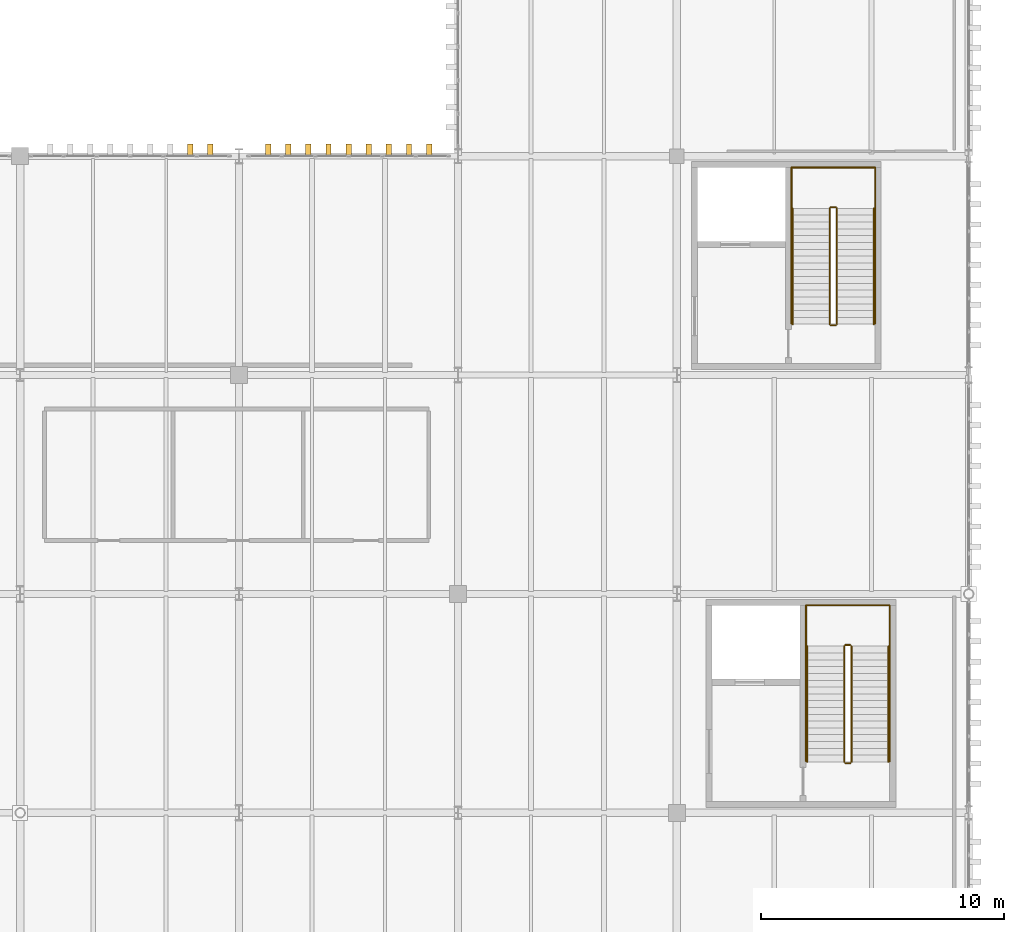
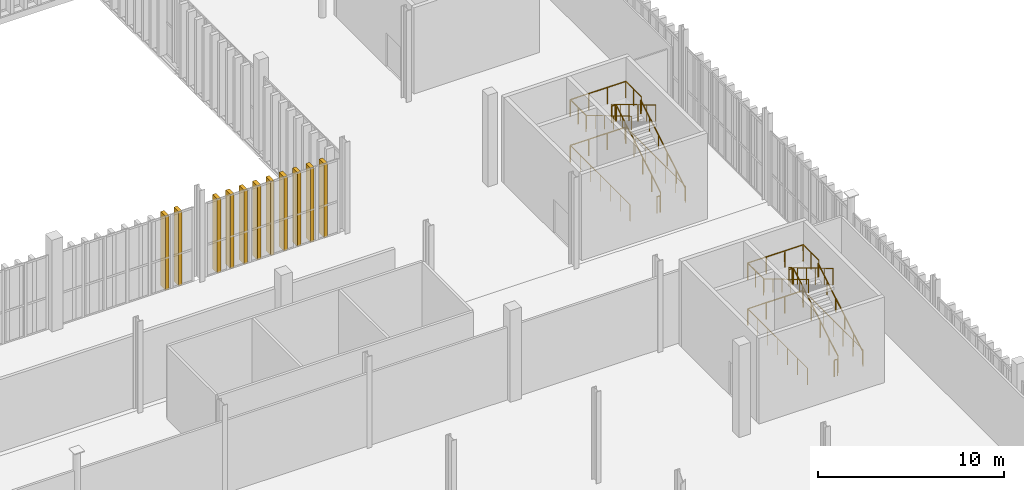
# One storey, part 227 of 237: 24 railings, 11 shading devices.
"""IFC4 building model written with IfcOpenShell, lengths in metres."""

import ifcopenshell
import ifcopenshell.guid

model = None  # the IFC model being written
_history = None  # IfcOwnerHistory: only IFC2X3 demands one
_inside = {}  # id of a spatial element -> (the spatial element, [elements in it])
_under = {}  # id of a project, library or spatial element -> (it, [spatial elements below it])
_declared = {}  # id of a project -> (the project, [libraries it declares])
_typed = {}  # id of a type object -> (the type object, [elements of that type])
_made_of = {}  # id of a material, layer set ... -> (it, [elements and type objects made of it])


def new_model(schema):
    """Start an empty IFC model of exactly this schema.

    Asked for "IFC4X3", IfcOpenShell would pick the latest addendum, in which some entities
    have other attributes; the version numbers below select the first issue.
    IFC2X3 requires an IfcOwnerHistory on every rooted entity: one is made here for all.
    """
    global model, _history
    if schema == "IFC4X3":
        model = ifcopenshell.file(schema_version=(4, 3, 0, 0))
    else:
        model = ifcopenshell.file(schema=schema)
    _inside.clear()
    _under.clear()
    _declared.clear()
    _typed.clear()
    _made_of.clear()
    _history = None
    if model.schema == "IFC2X3":
        org = make("IfcOrganization", Name="unknown")
        user = make(
            "IfcPersonAndOrganization",
            ThePerson=make("IfcPerson", FamilyName="unknown"),
            TheOrganization=org,
        )
        app = make(
            "IfcApplication",
            ApplicationDeveloper=org,
            Version="unknown",
            ApplicationFullName="unknown",
            ApplicationIdentifier="unknown",
        )
        _history = make(
            "IfcOwnerHistory",
            OwningUser=user,
            OwningApplication=app,
            ChangeAction="ADDED",
            CreationDate=0,
        )
    return model


def make(cls, **values):
    """One entity of the class cls with the attributes given. An attribute that is None is left unset."""
    return model.create_entity(
        cls, **{name: value for name, value in values.items() if value is not None}
    )


def rooted(cls, **values):
    """An entity with a GlobalId (a new one), such as an element, a storey or a relation."""
    return make(cls, GlobalId=ifcopenshell.guid.new(), OwnerHistory=_history, **values)


def si_unit(unit_type, name, prefix=None):
    """IfcSIUnit, for example si_unit("LENGTHUNIT", "METRE", prefix="MILLI")."""
    return make("IfcSIUnit", UnitType=unit_type, Prefix=prefix, Name=name)


def assignment(units):
    """IfcUnitAssignment: the units of a project."""
    return None if units is None else make("IfcUnitAssignment", Units=units)


def point(xyz):
    """IfcCartesianPoint."""
    return None if xyz is None else make("IfcCartesianPoint", Coordinates=xyz)


def direction(xyz):
    """IfcDirection."""
    return None if xyz is None else make("IfcDirection", DirectionRatios=xyz)


def frame(location, z_axis=None, x_axis=None):
    """IfcAxis2Placement3D, a coordinate frame: its origin and axes. An axis left out is left unset."""
    return make(
        "IfcAxis2Placement3D",
        Location=point(location),
        Axis=direction(z_axis),
        RefDirection=direction(x_axis),
    )


def frame_2d(location, x_axis=None):
    """IfcAxis2Placement2D, a coordinate frame in the plane: its origin and x axis."""
    return make(
        "IfcAxis2Placement2D", Location=point(location), RefDirection=direction(x_axis)
    )


def origin():
    """The frame at (0, 0, 0) with its axes left unset."""
    return frame((0.0, 0.0, 0.0))


def origin_2d():
    """The frame at (0, 0) in the plane with its x axis left unset."""
    return frame_2d((0.0, 0.0))


def place(relative_to, where):
    """IfcLocalPlacement: puts the frame where relative to a parent placement (None: the world)."""
    return make(
        "IfcLocalPlacement", PlacementRelTo=relative_to, RelativePlacement=where
    )


def context(
    kind, dimensions, precision=None, world=None, true_north=None, identifier=None
):
    """IfcGeometricRepresentationContext, for example the 3D "Model" context."""
    return make(
        "IfcGeometricRepresentationContext",
        ContextIdentifier=identifier,
        ContextType=kind,
        CoordinateSpaceDimension=dimensions,
        Precision=precision,
        WorldCoordinateSystem=world,
        TrueNorth=true_north,
    )


def subcontext(parent, identifier, kind, view, scale=None):
    """IfcGeometricRepresentationSubContext, for example "Body" below "Model"."""
    return make(
        "IfcGeometricRepresentationSubContext",
        ContextIdentifier=identifier,
        ContextType=kind,
        ParentContext=parent,
        TargetScale=scale,
        TargetView=view,
    )


def project(units=None, contexts=None):
    """IfcProject with its units and contexts."""
    return rooted(
        "IfcProject",
        Name="project",
        RepresentationContexts=contexts,
        UnitsInContext=assignment(units),
    )


def spatial(cls, under=None, at=None, **own):
    """A site, building, storey or space (cls), placed at a placement, below another one or the project."""
    s = rooted(cls, ObjectPlacement=at, **own)
    if under is not None:
        _under.setdefault(under.id(), (under, []))[1].append(s)
    return s


def profile(cls, at=None, kind="AREA", **sizes):
    """A parametric profile (cls). Its sizes go by their IFC names, for example OverallWidth=200.0."""
    return make(cls, ProfileType=kind, Position=at, **sizes)


def rectangle(**sizes):
    """IfcRectangleProfileDef."""
    return profile("IfcRectangleProfileDef", **sizes)


def circle(**sizes):
    """IfcCircleProfileDef."""
    return profile("IfcCircleProfileDef", **sizes)


def extrude(swept, where, along, depth):
    """IfcExtrudedAreaSolid: the profile swept, set in the frame where, extruded along a direction by depth."""
    return make(
        "IfcExtrudedAreaSolid",
        SweptArea=swept,
        Position=where,
        ExtrudedDirection=direction(along),
        Depth=depth,
    )


def shape(context_of_items, identifier, shape_type, items):
    """IfcShapeRepresentation: the items that make up one representation, for example the "Body"."""
    return make(
        "IfcShapeRepresentation",
        ContextOfItems=context_of_items,
        RepresentationIdentifier=identifier,
        RepresentationType=shape_type,
        Items=items,
    )


def material(Name=None, Category=None):
    """IfcMaterial."""
    return make("IfcMaterial", Name=Name, Category=Category)


def made_of(thing, what):
    """Note that an element or type object is made of a material, layer set ...; save() writes the relation."""
    if what is not None:
        _made_of.setdefault(what.id(), (what, []))[1].append(thing)
    return thing


def type_object(cls, material=None, **own):
    """A type object (cls), such as IfcWallType, which elements share."""
    return made_of(rooted(cls, **own), material)


def element(
    cls,
    number,
    at=None,
    inside=None,
    cuts=None,
    type_object=None,
    material=None,
    context=None,
    identifier="Body",
    shape_type=None,
    held_by="IfcProductDefinitionShape",
    body=None,
    shapes=None,
    **own,
):
    """One element of the class cls, such as IfcWall. Its Tag is "e" and its number.

    at: its placement. inside: the storey or other place that contains it. cuts: it is an
    opening in that element (IfcRelVoidsElement). A single representation is given by context,
    identifier, shape_type and body (its items); several are given by shapes. held_by: the class
    of the entity that holds the representations. save() writes the other relations.
    """
    e = rooted(cls, Tag="e%d" % number, ObjectPlacement=at, **own)
    if body is not None:
        shapes = [shape(context, identifier, shape_type, body)]
    if shapes is not None:
        e.Representation = make(held_by, Representations=shapes)
    if inside is not None:
        _inside.setdefault(inside.id(), (inside, []))[1].append(e)
    if cuts is not None:
        rooted(
            "IfcRelVoidsElement", RelatingBuildingElement=cuts, RelatedOpeningElement=e
        )
    if type_object is not None:
        _typed.setdefault(type_object.id(), (type_object, []))[1].append(e)
    return made_of(e, material)


def aggregate(whole, parts):
    """IfcRelAggregates: a whole, such as a stair, and the parts it consists of."""
    return rooted("IfcRelAggregates", RelatingObject=whole, RelatedObjects=parts)


def save(model, path):
    """Write the relations noted so far, then the file.

    IfcRelAggregates (storeys below a building ...), IfcRelContainedInSpatialStructure (elements
    in a storey), IfcRelDefinesByType, IfcRelAssociatesMaterial and IfcRelDeclares: one each for
    every whole, place, type object, material and project.
    """
    for whole, parts in _under.values():
        aggregate(whole, parts)
    for where, things in _inside.values():
        rooted(
            "IfcRelContainedInSpatialStructure",
            RelatedElements=things,
            RelatingStructure=where,
        )
    for kind, things in _typed.values():
        rooted("IfcRelDefinesByType", RelatedObjects=things, RelatingType=kind)
    for what, things in _made_of.values():
        rooted("IfcRelAssociatesMaterial", RelatedObjects=things, RelatingMaterial=what)
    for by, libraries in _declared.values():
        rooted("IfcRelDeclares", RelatingContext=by, RelatedDefinitions=libraries)
    model.write(path)


model = new_model("IFC4")

# Units and contexts
model_context = context("Model", 3, precision=1e-05, world=origin(), true_north=direction((0.0, 1.0)))
body_context = subcontext(model_context, "Body", "Model", "MODEL_VIEW")
ifc_project = project(units=[si_unit("LENGTHUNIT", "METRE"), si_unit("AREAUNIT", "SQUARE_METRE"), si_unit("VOLUMEUNIT", "CUBIC_METRE"), si_unit("PLANEANGLEUNIT", "RADIAN"), si_unit("MASSUNIT", "GRAM", prefix="KILO")], contexts=[model_context])

# Site, building, storey
site_placement = place(None, origin())
site = spatial("IfcSite", under=ifc_project, at=site_placement, CompositionType="ELEMENT")
building_placement = place(site_placement, origin())
building = spatial("IfcBuilding", under=site, at=building_placement, Name="Barlavento Convention Centre", CompositionType="ELEMENT")
storey_placement = place(building_placement, frame((0.0, 0.0, 12.0)))
storey = spatial("IfcBuildingStorey", under=building, at=storey_placement, Name="L02", CompositionType="ELEMENT", Elevation=12.0)

# Railings
ifc_material_1 = material(Name="Stainless steel and laminated glass balustrade", Category="steel")
railing_type_1 = type_object("IfcRailingType", Name="ARC-RAL-BAL-1100", PredefinedType="BALUSTRADE", material=ifc_material_1)
railing_1_placement = place(storey_placement, frame((186.580078125, 56.090087890625, 0.166748046875)))
element("IfcRailing", 1, at=railing_1_placement, inside=storey, type_object=railing_type_1, Name="L02 ST05 stair guard 1", PredefinedType="BALUSTRADE", context=body_context, shape_type="SweptSolid", body=[
    extrude(circle(Radius=0.02392578125, at=origin_2d()), frame((0.0, 0.0, 1.076171875), z_axis=(0.0, 0.859299802514, 0.511472237174), x_axis=(-1.0, 0.0, 0.0)), (0.0, 0.0, 1.0), 5.539306640625),
    extrude(circle(Radius=0.02099609375, at=origin_2d()), origin(), (0.0, 0.0, 1.0), 1.052001953125),
    extrude(circle(Radius=0.02099609375, at=origin_2d()), frame((0.0, 0.951904296875, 0.566650390625)), (0.0, 0.0, 1.0), 1.052001953125),
    extrude(circle(Radius=0.02099609375, at=origin_2d()), frame((0.0, 1.904052734375, 1.13330078125)), (0.0, 0.0, 1.0), 1.052001953125),
    extrude(circle(Radius=0.02099609375, at=origin_2d()), frame((0.0, 2.85595703125, 1.699951171875)), (0.0, 0.0, 1.0), 1.052001953125),
    extrude(circle(Radius=0.02099609375, at=origin_2d()), frame((0.0, 3.80810546875, 2.2666015625)), (0.0, 0.0, 1.0), 1.052001953125),
    extrude(circle(Radius=0.02099609375, at=origin_2d()), frame((0.0, 4.760009765625, 2.833251953125)), (0.0, 0.0, 1.0), 1.052001953125),
])
railing_2_placement = place(storey_placement, frame((186.530029296875, 60.89990234375, 3.0)))
element("IfcRailing", 2, at=railing_2_placement, inside=storey, type_object=railing_type_1, Name="L02 ST05 stair guard 2", PredefinedType="BALUSTRADE", context=body_context, shape_type="SweptSolid", body=[
    extrude(circle(Radius=0.02392578125, at=origin_2d()), frame((0.0, 0.0, 1.076171875), z_axis=(-1.0, 0.0, 0.0), x_axis=(0.0, -1.0, 0.0)), (0.0, 0.0, 1.0), 0.199951171875),
    extrude(circle(Radius=0.02099609375, at=origin_2d()), origin(), (0.0, 0.0, 1.0), 1.052001953125),
    extrude(circle(Radius=0.02099609375, at=origin_2d()), frame((-0.199951171875, 0.0, 0.0)), (0.0, 0.0, 1.0), 1.052001953125),
])
railing_3_placement = place(storey_placement, frame((186.280029296875, 60.85009765625, 3.166748046875)))
element("IfcRailing", 3, at=railing_3_placement, inside=storey, type_object=railing_type_1, Name="L02 ST05 stair guard 3", PredefinedType="BALUSTRADE", context=body_context, shape_type="SweptSolid", body=[
    extrude(circle(Radius=0.02392578125, at=origin_2d()), frame((0.0, 0.0, 1.076171875), z_axis=(0.0, -0.859299802514, 0.511472237174), x_axis=(1.0, 0.0, 0.0)), (0.0, 0.0, 1.0), 5.539306640625),
    extrude(circle(Radius=0.02099609375, at=origin_2d()), origin(), (0.0, 0.0, 1.0), 1.052001953125),
    extrude(circle(Radius=0.02099609375, at=origin_2d()), frame((0.0, -0.951904296875, 0.566650390625)), (0.0, 0.0, 1.0), 1.052001953125),
    extrude(circle(Radius=0.02099609375, at=origin_2d()), frame((0.0, -1.904052734375, 1.13330078125)), (0.0, 0.0, 1.0), 1.052001953125),
    extrude(circle(Radius=0.02099609375, at=origin_2d()), frame((0.0, -2.85595703125, 1.699951171875)), (0.0, 0.0, 1.0), 1.052001953125),
    extrude(circle(Radius=0.02099609375, at=origin_2d()), frame((0.0, -3.80810546875, 2.2666015625)), (0.0, 0.0, 1.0), 1.052001953125),
    extrude(circle(Radius=0.02099609375, at=origin_2d()), frame((0.0, -4.760009765625, 2.833251953125)), (0.0, 0.0, 1.0), 1.052001953125),
])
railing_4_placement = place(storey_placement, frame((186.530029296875, 56.0400390625, 0.0)))
element("IfcRailing", 4, at=railing_4_placement, inside=storey, type_object=railing_type_1, Name="L02 ST05 stair guard 4", PredefinedType="BALUSTRADE", context=body_context, shape_type="SweptSolid", body=[
    extrude(circle(Radius=0.02392578125, at=origin_2d()), frame((0.0, 0.0, 1.076171875), z_axis=(-1.0, 0.0, 0.0), x_axis=(0.0, -1.0, 0.0)), (0.0, 0.0, 1.0), 0.199951171875),
    extrude(circle(Radius=0.02099609375, at=origin_2d()), origin(), (0.0, 0.0, 1.0), 1.052001953125),
    extrude(circle(Radius=0.02099609375, at=origin_2d()), frame((-0.199951171875, 0.0, 0.0)), (0.0, 0.0, 1.0), 1.052001953125),
])
for number, where, name in (
    (5, (188.14990234375, 60.85009765625, 3.0), "L02 landing guard GR01"),
    (6, (184.7099609375, 60.85009765625, 3.0), "L02 landing guard GR01"),
):
    element("IfcRailing", number, at=place(storey_placement, frame(where)), inside=storey, type_object=railing_type_1, Name=name, PredefinedType="BALUSTRADE", context=body_context, shape_type="SweptSolid", body=[
        extrude(circle(Radius=0.02392578125, at=origin_2d()), frame((0.0, 0.0, 1.076171875), z_axis=(0.0, 1.0, 0.0), x_axis=(-1.0, 0.0, 0.0)), (0.0, 0.0, 1.0), 1.679931640625),
        extrude(circle(Radius=0.02099609375, at=origin_2d()), origin(), (0.0, 0.0, 1.0), 1.052001953125),
        extrude(circle(Radius=0.02099609375, at=origin_2d()), frame((0.0, 0.83984375, 0.0)), (0.0, 0.0, 1.0), 1.052001953125),
        extrude(circle(Radius=0.02099609375, at=origin_2d()), frame((0.0, 1.679931640625, 0.0)), (0.0, 0.0, 1.0), 1.052001953125),
    ])
railing_5_placement = place(storey_placement, frame((188.14990234375, 62.530029296875, 3.0)))
element("IfcRailing", 7, at=railing_5_placement, inside=storey, type_object=railing_type_1, Name="L02 landing guard GR01", PredefinedType="BALUSTRADE", context=body_context, shape_type="SweptSolid", body=[
    extrude(circle(Radius=0.02392578125, at=origin_2d()), frame((0.0, 0.0, 1.076171875), z_axis=(-1.0, 0.0, 0.0), x_axis=(0.0, -1.0, 0.0)), (0.0, 0.0, 1.0), 3.43994140625),
    extrude(circle(Radius=0.02099609375, at=origin_2d()), origin(), (0.0, 0.0, 1.0), 1.052001953125),
    extrude(circle(Radius=0.02099609375, at=origin_2d()), frame((-1.146728515625, 0.0, 0.0)), (0.0, 0.0, 1.0), 1.052001953125),
    extrude(circle(Radius=0.02099609375, at=origin_2d()), frame((-2.293212890625, 0.0, 0.0)), (0.0, 0.0, 1.0), 1.052001953125),
    extrude(circle(Radius=0.02099609375, at=origin_2d()), frame((-3.43994140625, 0.0, 0.0)), (0.0, 0.0, 1.0), 1.052001953125),
])
railing_6_placement = place(storey_placement, frame((188.14990234375, 56.114990234375, 0.0)))
element("IfcRailing", 8, at=railing_6_placement, inside=storey, type_object=railing_type_1, Name="L02 stairwell perimeter guard GR01", PredefinedType="BALUSTRADE", context=body_context, shape_type="SweptSolid", body=[
    extrude(circle(Radius=0.02392578125, at=origin_2d()), frame((0.0, 0.0, 1.076171875), z_axis=(0.0, 1.0, 0.0), x_axis=(-1.0, 0.0, 0.0)), (0.0, 0.0, 1.0), 6.4150390625),
    extrude(circle(Radius=0.02099609375, at=origin_2d()), origin(), (0.0, 0.0, 1.0), 1.052001953125),
    extrude(circle(Radius=0.02099609375, at=origin_2d()), frame((0.0, 1.069091796875, 0.0)), (0.0, 0.0, 1.0), 1.052001953125),
    extrude(circle(Radius=0.02099609375, at=origin_2d()), frame((0.0, 2.138427734375, 0.0)), (0.0, 0.0, 1.0), 1.052001953125),
    extrude(circle(Radius=0.02099609375, at=origin_2d()), frame((0.0, 3.20751953125, 0.0)), (0.0, 0.0, 1.0), 1.052001953125),
    extrude(circle(Radius=0.02099609375, at=origin_2d()), frame((0.0, 4.276611328125, 0.0)), (0.0, 0.0, 1.0), 1.052001953125),
    extrude(circle(Radius=0.02099609375, at=origin_2d()), frame((0.0, 5.345947265625, 0.0)), (0.0, 0.0, 1.0), 1.052001953125),
    extrude(circle(Radius=0.02099609375, at=origin_2d()), frame((0.0, 6.4150390625, 0.0)), (0.0, 0.0, 1.0), 1.052001953125),
])
railing_7_placement = place(storey_placement, frame((188.14990234375, 62.530029296875, 0.0)))
element("IfcRailing", 9, at=railing_7_placement, inside=storey, type_object=railing_type_1, Name="L02 stairwell perimeter guard GR01", PredefinedType="BALUSTRADE", context=body_context, shape_type="SweptSolid", body=[
    extrude(circle(Radius=0.02392578125, at=origin_2d()), frame((0.0, 0.0, 1.076171875), z_axis=(-1.0, 0.0, 0.0), x_axis=(0.0, -1.0, 0.0)), (0.0, 0.0, 1.0), 3.43994140625),
    extrude(circle(Radius=0.02099609375, at=origin_2d()), origin(), (0.0, 0.0, 1.0), 1.052001953125),
    extrude(circle(Radius=0.02099609375, at=origin_2d()), frame((-1.146728515625, 0.0, 0.0)), (0.0, 0.0, 1.0), 1.052001953125),
    extrude(circle(Radius=0.02099609375, at=origin_2d()), frame((-2.293212890625, 0.0, 0.0)), (0.0, 0.0, 1.0), 1.052001953125),
    extrude(circle(Radius=0.02099609375, at=origin_2d()), frame((-3.43994140625, 0.0, 0.0)), (0.0, 0.0, 1.0), 1.052001953125),
])
railing_8_placement = place(storey_placement, frame((184.7099609375, 62.530029296875, 0.0)))
element("IfcRailing", 10, at=railing_8_placement, inside=storey, type_object=railing_type_1, Name="L02 stairwell perimeter guard GR01", PredefinedType="BALUSTRADE", context=body_context, shape_type="SweptSolid", body=[
    extrude(circle(Radius=0.02392578125, at=origin_2d()), frame((0.0, 0.0, 1.076171875), z_axis=(0.0, -1.0, 0.0), x_axis=(1.0, 0.0, 0.0)), (0.0, 0.0, 1.0), 6.4150390625),
    extrude(circle(Radius=0.02099609375, at=origin_2d()), origin(), (0.0, 0.0, 1.0), 1.052001953125),
    extrude(circle(Radius=0.02099609375, at=origin_2d()), frame((0.0, -1.069091796875, 0.0)), (0.0, 0.0, 1.0), 1.052001953125),
    extrude(circle(Radius=0.02099609375, at=origin_2d()), frame((0.0, -2.138427734375, 0.0)), (0.0, 0.0, 1.0), 1.052001953125),
    extrude(circle(Radius=0.02099609375, at=origin_2d()), frame((0.0, -3.20751953125, 0.0)), (0.0, 0.0, 1.0), 1.052001953125),
    extrude(circle(Radius=0.02099609375, at=origin_2d()), frame((0.0, -4.276611328125, 0.0)), (0.0, 0.0, 1.0), 1.052001953125),
    extrude(circle(Radius=0.02099609375, at=origin_2d()), frame((0.0, -5.345947265625, 0.0)), (0.0, 0.0, 1.0), 1.052001953125),
    extrude(circle(Radius=0.02099609375, at=origin_2d()), frame((0.0, -6.4150390625, 0.0)), (0.0, 0.0, 1.0), 1.052001953125),
])
railing_9_placement = place(storey_placement, frame((187.179931640625, 38.090087890625, 0.166748046875)))
element("IfcRailing", 11, at=railing_9_placement, inside=storey, type_object=railing_type_1, Name="L02 ST06 stair guard 1", PredefinedType="BALUSTRADE", context=body_context, shape_type="SweptSolid", body=[
    extrude(circle(Radius=0.02392578125, at=origin_2d()), frame((0.0, 0.0, 1.076171875), z_axis=(0.0, 0.859299802514, 0.511472237174), x_axis=(-1.0, 0.0, 0.0)), (0.0, 0.0, 1.0), 5.539306640625),
    extrude(circle(Radius=0.02099609375, at=origin_2d()), origin(), (0.0, 0.0, 1.0), 1.052001953125),
    extrude(circle(Radius=0.02099609375, at=origin_2d()), frame((0.0, 0.951904296875, 0.566650390625)), (0.0, 0.0, 1.0), 1.052001953125),
    extrude(circle(Radius=0.02099609375, at=origin_2d()), frame((0.0, 1.904052734375, 1.13330078125)), (0.0, 0.0, 1.0), 1.052001953125),
    extrude(circle(Radius=0.02099609375, at=origin_2d()), frame((0.0, 2.85595703125, 1.699951171875)), (0.0, 0.0, 1.0), 1.052001953125),
    extrude(circle(Radius=0.02099609375, at=origin_2d()), frame((0.0, 3.80810546875, 2.2666015625)), (0.0, 0.0, 1.0), 1.052001953125),
    extrude(circle(Radius=0.02099609375, at=origin_2d()), frame((0.0, 4.760009765625, 2.833251953125)), (0.0, 0.0, 1.0), 1.052001953125),
])
railing_10_placement = place(storey_placement, frame((187.1298828125, 42.89990234375, 3.0)))
element("IfcRailing", 12, at=railing_10_placement, inside=storey, type_object=railing_type_1, Name="L02 ST06 stair guard 2", PredefinedType="BALUSTRADE", context=body_context, shape_type="SweptSolid", body=[
    extrude(circle(Radius=0.02392578125, at=origin_2d()), frame((0.0, 0.0, 1.076171875), z_axis=(-1.0, 0.0, 0.0), x_axis=(0.0, -1.0, 0.0)), (0.0, 0.0, 1.0), 0.199951171875),
    extrude(circle(Radius=0.02099609375, at=origin_2d()), origin(), (0.0, 0.0, 1.0), 1.052001953125),
    extrude(circle(Radius=0.02099609375, at=origin_2d()), frame((-0.199951171875, 0.0, 0.0)), (0.0, 0.0, 1.0), 1.052001953125),
])
railing_11_placement = place(storey_placement, frame((186.8798828125, 42.85009765625, 3.166748046875)))
element("IfcRailing", 13, at=railing_11_placement, inside=storey, type_object=railing_type_1, Name="L02 ST06 stair guard 3", PredefinedType="BALUSTRADE", context=body_context, shape_type="SweptSolid", body=[
    extrude(circle(Radius=0.02392578125, at=origin_2d()), frame((0.0, 0.0, 1.076171875), z_axis=(0.0, -0.859299802514, 0.511472237174), x_axis=(1.0, 0.0, 0.0)), (0.0, 0.0, 1.0), 5.539306640625),
    extrude(circle(Radius=0.02099609375, at=origin_2d()), origin(), (0.0, 0.0, 1.0), 1.052001953125),
    extrude(circle(Radius=0.02099609375, at=origin_2d()), frame((0.0, -0.951904296875, 0.566650390625)), (0.0, 0.0, 1.0), 1.052001953125),
    extrude(circle(Radius=0.02099609375, at=origin_2d()), frame((0.0, -1.904052734375, 1.13330078125)), (0.0, 0.0, 1.0), 1.052001953125),
    extrude(circle(Radius=0.02099609375, at=origin_2d()), frame((0.0, -2.85595703125, 1.699951171875)), (0.0, 0.0, 1.0), 1.052001953125),
    extrude(circle(Radius=0.02099609375, at=origin_2d()), frame((0.0, -3.80810546875, 2.2666015625)), (0.0, 0.0, 1.0), 1.052001953125),
    extrude(circle(Radius=0.02099609375, at=origin_2d()), frame((0.0, -4.760009765625, 2.833251953125)), (0.0, 0.0, 1.0), 1.052001953125),
])
railing_12_placement = place(storey_placement, frame((187.1298828125, 38.0400390625, 0.0)))
element("IfcRailing", 14, at=railing_12_placement, inside=storey, type_object=railing_type_1, Name="L02 ST06 stair guard 4", PredefinedType="BALUSTRADE", context=body_context, shape_type="SweptSolid", body=[
    extrude(circle(Radius=0.02392578125, at=origin_2d()), frame((0.0, 0.0, 1.076171875), z_axis=(-1.0, 0.0, 0.0), x_axis=(0.0, -1.0, 0.0)), (0.0, 0.0, 1.0), 0.199951171875),
    extrude(circle(Radius=0.02099609375, at=origin_2d()), origin(), (0.0, 0.0, 1.0), 1.052001953125),
    extrude(circle(Radius=0.02099609375, at=origin_2d()), frame((-0.199951171875, 0.0, 0.0)), (0.0, 0.0, 1.0), 1.052001953125),
])
for number, where, name in (
    (15, (188.75, 42.85009765625, 3.0), "L02 landing guard GR01"),
    (16, (185.31005859375, 42.85009765625, 3.0), "L02 landing guard GR01"),
):
    element("IfcRailing", number, at=place(storey_placement, frame(where)), inside=storey, type_object=railing_type_1, Name=name, PredefinedType="BALUSTRADE", context=body_context, shape_type="SweptSolid", body=[
        extrude(circle(Radius=0.02392578125, at=origin_2d()), frame((0.0, 0.0, 1.076171875), z_axis=(0.0, 1.0, 0.0), x_axis=(-1.0, 0.0, 0.0)), (0.0, 0.0, 1.0), 1.679931640625),
        extrude(circle(Radius=0.02099609375, at=origin_2d()), origin(), (0.0, 0.0, 1.0), 1.052001953125),
        extrude(circle(Radius=0.02099609375, at=origin_2d()), frame((0.0, 0.83984375, 0.0)), (0.0, 0.0, 1.0), 1.052001953125),
        extrude(circle(Radius=0.02099609375, at=origin_2d()), frame((0.0, 1.679931640625, 0.0)), (0.0, 0.0, 1.0), 1.052001953125),
    ])
railing_13_placement = place(storey_placement, frame((188.75, 44.530029296875, 3.0)))
element("IfcRailing", 17, at=railing_13_placement, inside=storey, type_object=railing_type_1, Name="L02 landing guard GR01", PredefinedType="BALUSTRADE", context=body_context, shape_type="SweptSolid", body=[
    extrude(circle(Radius=0.02392578125, at=origin_2d()), frame((0.0, 0.0, 1.076171875), z_axis=(-1.0, 0.0, 0.0), x_axis=(0.0, -1.0, 0.0)), (0.0, 0.0, 1.0), 3.43994140625),
    extrude(circle(Radius=0.02099609375, at=origin_2d()), origin(), (0.0, 0.0, 1.0), 1.052001953125),
    extrude(circle(Radius=0.02099609375, at=origin_2d()), frame((-1.146728515625, 0.0, 0.0)), (0.0, 0.0, 1.0), 1.052001953125),
    extrude(circle(Radius=0.02099609375, at=origin_2d()), frame((-2.293212890625, 0.0, 0.0)), (0.0, 0.0, 1.0), 1.052001953125),
    extrude(circle(Radius=0.02099609375, at=origin_2d()), frame((-3.43994140625, 0.0, 0.0)), (0.0, 0.0, 1.0), 1.052001953125),
])
railing_14_placement = place(storey_placement, frame((188.75, 38.114990234375, 0.0)))
element("IfcRailing", 18, at=railing_14_placement, inside=storey, type_object=railing_type_1, Name="L02 stairwell perimeter guard GR01", PredefinedType="BALUSTRADE", context=body_context, shape_type="SweptSolid", body=[
    extrude(circle(Radius=0.02392578125, at=origin_2d()), frame((0.0, 0.0, 1.076171875), z_axis=(0.0, 1.0, 0.0), x_axis=(-1.0, 0.0, 0.0)), (0.0, 0.0, 1.0), 6.4150390625),
    extrude(circle(Radius=0.02099609375, at=origin_2d()), origin(), (0.0, 0.0, 1.0), 1.052001953125),
    extrude(circle(Radius=0.02099609375, at=origin_2d()), frame((0.0, 1.069091796875, 0.0)), (0.0, 0.0, 1.0), 1.052001953125),
    extrude(circle(Radius=0.02099609375, at=origin_2d()), frame((0.0, 2.138427734375, 0.0)), (0.0, 0.0, 1.0), 1.052001953125),
    extrude(circle(Radius=0.02099609375, at=origin_2d()), frame((0.0, 3.20751953125, 0.0)), (0.0, 0.0, 1.0), 1.052001953125),
    extrude(circle(Radius=0.02099609375, at=origin_2d()), frame((0.0, 4.276611328125, 0.0)), (0.0, 0.0, 1.0), 1.052001953125),
    extrude(circle(Radius=0.02099609375, at=origin_2d()), frame((0.0, 5.345947265625, 0.0)), (0.0, 0.0, 1.0), 1.052001953125),
    extrude(circle(Radius=0.02099609375, at=origin_2d()), frame((0.0, 6.4150390625, 0.0)), (0.0, 0.0, 1.0), 1.052001953125),
])
railing_15_placement = place(storey_placement, frame((188.75, 44.530029296875, 0.0)))
element("IfcRailing", 19, at=railing_15_placement, inside=storey, type_object=railing_type_1, Name="L02 stairwell perimeter guard GR01", PredefinedType="BALUSTRADE", context=body_context, shape_type="SweptSolid", body=[
    extrude(circle(Radius=0.02392578125, at=origin_2d()), frame((0.0, 0.0, 1.076171875), z_axis=(-1.0, 0.0, 0.0), x_axis=(0.0, -1.0, 0.0)), (0.0, 0.0, 1.0), 3.43994140625),
    extrude(circle(Radius=0.02099609375, at=origin_2d()), origin(), (0.0, 0.0, 1.0), 1.052001953125),
    extrude(circle(Radius=0.02099609375, at=origin_2d()), frame((-1.146728515625, 0.0, 0.0)), (0.0, 0.0, 1.0), 1.052001953125),
    extrude(circle(Radius=0.02099609375, at=origin_2d()), frame((-2.293212890625, 0.0, 0.0)), (0.0, 0.0, 1.0), 1.052001953125),
    extrude(circle(Radius=0.02099609375, at=origin_2d()), frame((-3.43994140625, 0.0, 0.0)), (0.0, 0.0, 1.0), 1.052001953125),
])
railing_16_placement = place(storey_placement, frame((185.31005859375, 44.530029296875, 0.0)))
element("IfcRailing", 20, at=railing_16_placement, inside=storey, type_object=railing_type_1, Name="L02 stairwell perimeter guard GR01", PredefinedType="BALUSTRADE", context=body_context, shape_type="SweptSolid", body=[
    extrude(circle(Radius=0.02392578125, at=origin_2d()), frame((0.0, 0.0, 1.076171875), z_axis=(0.0, -1.0, 0.0), x_axis=(1.0, 0.0, 0.0)), (0.0, 0.0, 1.0), 6.4150390625),
    extrude(circle(Radius=0.02099609375, at=origin_2d()), origin(), (0.0, 0.0, 1.0), 1.052001953125),
    extrude(circle(Radius=0.02099609375, at=origin_2d()), frame((0.0, -1.069091796875, 0.0)), (0.0, 0.0, 1.0), 1.052001953125),
    extrude(circle(Radius=0.02099609375, at=origin_2d()), frame((0.0, -2.138427734375, 0.0)), (0.0, 0.0, 1.0), 1.052001953125),
    extrude(circle(Radius=0.02099609375, at=origin_2d()), frame((0.0, -3.20751953125, 0.0)), (0.0, 0.0, 1.0), 1.052001953125),
    extrude(circle(Radius=0.02099609375, at=origin_2d()), frame((0.0, -4.276611328125, 0.0)), (0.0, 0.0, 1.0), 1.052001953125),
    extrude(circle(Radius=0.02099609375, at=origin_2d()), frame((0.0, -5.345947265625, 0.0)), (0.0, 0.0, 1.0), 1.052001953125),
    extrude(circle(Radius=0.02099609375, at=origin_2d()), frame((0.0, -6.4150390625, 0.0)), (0.0, 0.0, 1.0), 1.052001953125),
])
ifc_material_2 = material(Name="Brushed stainless steel tubular handrail", Category="steel")
railing_type_2 = type_object("IfcRailingType", Name="ARC-RAL-HR-900", PredefinedType="HANDRAIL", material=ifc_material_2)
railing_17_placement = place(storey_placement, frame((188.10009765625, 56.090087890625, 0.166748046875)))
element("IfcRailing", 21, at=railing_17_placement, inside=storey, type_object=railing_type_2, Name="L02 ST05 stair handrail 1", PredefinedType="HANDRAIL", context=body_context, shape_type="SweptSolid", body=[
    extrude(circle(Radius=0.02392578125, at=origin_2d()), frame((0.0, 0.0, 0.8759765625), z_axis=(0.0, 0.859299802514, 0.511472237174), x_axis=(-1.0, 0.0, 0.0)), (0.0, 0.0, 1.0), 5.539306640625),
    extrude(circle(Radius=0.02099609375, at=origin_2d()), origin(), (0.0, 0.0, 1.0), 0.851806640625),
    extrude(circle(Radius=0.02099609375, at=origin_2d()), frame((0.0, 0.951904296875, 0.566650390625)), (0.0, 0.0, 1.0), 0.851806640625),
    extrude(circle(Radius=0.02099609375, at=origin_2d()), frame((0.0, 1.904052734375, 1.13330078125)), (0.0, 0.0, 1.0), 0.851806640625),
    extrude(circle(Radius=0.02099609375, at=origin_2d()), frame((0.0, 2.85595703125, 1.699951171875)), (0.0, 0.0, 1.0), 0.851806640625),
    extrude(circle(Radius=0.02099609375, at=origin_2d()), frame((0.0, 3.80810546875, 2.2666015625)), (0.0, 0.0, 1.0), 0.851806640625),
    extrude(circle(Radius=0.02099609375, at=origin_2d()), frame((0.0, 4.760009765625, 2.833251953125)), (0.0, 0.0, 1.0), 0.851806640625),
])
railing_18_placement = place(storey_placement, frame((184.760009765625, 60.85009765625, 3.166748046875)))
element("IfcRailing", 22, at=railing_18_placement, inside=storey, type_object=railing_type_2, Name="L02 ST05 stair handrail 2", PredefinedType="HANDRAIL", context=body_context, shape_type="SweptSolid", body=[
    extrude(circle(Radius=0.02392578125, at=origin_2d()), frame((0.0, 0.0, 0.8759765625), z_axis=(0.0, -0.859299802514, 0.511472237174), x_axis=(1.0, 0.0, 0.0)), (0.0, 0.0, 1.0), 5.539306640625),
    extrude(circle(Radius=0.02099609375, at=origin_2d()), origin(), (0.0, 0.0, 1.0), 0.851806640625),
    extrude(circle(Radius=0.02099609375, at=origin_2d()), frame((0.0, -0.951904296875, 0.566650390625)), (0.0, 0.0, 1.0), 0.851806640625),
    extrude(circle(Radius=0.02099609375, at=origin_2d()), frame((0.0, -1.904052734375, 1.13330078125)), (0.0, 0.0, 1.0), 0.851806640625),
    extrude(circle(Radius=0.02099609375, at=origin_2d()), frame((0.0, -2.85595703125, 1.699951171875)), (0.0, 0.0, 1.0), 0.851806640625),
    extrude(circle(Radius=0.02099609375, at=origin_2d()), frame((0.0, -3.80810546875, 2.2666015625)), (0.0, 0.0, 1.0), 0.851806640625),
    extrude(circle(Radius=0.02099609375, at=origin_2d()), frame((0.0, -4.760009765625, 2.833251953125)), (0.0, 0.0, 1.0), 0.851806640625),
])
railing_19_placement = place(storey_placement, frame((188.699951171875, 38.090087890625, 0.166748046875)))
element("IfcRailing", 23, at=railing_19_placement, inside=storey, type_object=railing_type_2, Name="L02 ST06 stair handrail 1", PredefinedType="HANDRAIL", context=body_context, shape_type="SweptSolid", body=[
    extrude(circle(Radius=0.02392578125, at=origin_2d()), frame((0.0, 0.0, 0.8759765625), z_axis=(0.0, 0.859299802514, 0.511472237174), x_axis=(-1.0, 0.0, 0.0)), (0.0, 0.0, 1.0), 5.539306640625),
    extrude(circle(Radius=0.02099609375, at=origin_2d()), origin(), (0.0, 0.0, 1.0), 0.851806640625),
    extrude(circle(Radius=0.02099609375, at=origin_2d()), frame((0.0, 0.951904296875, 0.566650390625)), (0.0, 0.0, 1.0), 0.851806640625),
    extrude(circle(Radius=0.02099609375, at=origin_2d()), frame((0.0, 1.904052734375, 1.13330078125)), (0.0, 0.0, 1.0), 0.851806640625),
    extrude(circle(Radius=0.02099609375, at=origin_2d()), frame((0.0, 2.85595703125, 1.699951171875)), (0.0, 0.0, 1.0), 0.851806640625),
    extrude(circle(Radius=0.02099609375, at=origin_2d()), frame((0.0, 3.80810546875, 2.2666015625)), (0.0, 0.0, 1.0), 0.851806640625),
    extrude(circle(Radius=0.02099609375, at=origin_2d()), frame((0.0, 4.760009765625, 2.833251953125)), (0.0, 0.0, 1.0), 0.851806640625),
])
railing_20_placement = place(storey_placement, frame((185.360107421875, 42.85009765625, 3.166748046875)))
element("IfcRailing", 24, at=railing_20_placement, inside=storey, type_object=railing_type_2, Name="L02 ST06 stair handrail 2", PredefinedType="HANDRAIL", context=body_context, shape_type="SweptSolid", body=[
    extrude(circle(Radius=0.02392578125, at=origin_2d()), frame((0.0, 0.0, 0.8759765625), z_axis=(0.0, -0.859299802514, 0.511472237174), x_axis=(1.0, 0.0, 0.0)), (0.0, 0.0, 1.0), 5.539306640625),
    extrude(circle(Radius=0.02099609375, at=origin_2d()), origin(), (0.0, 0.0, 1.0), 0.851806640625),
    extrude(circle(Radius=0.02099609375, at=origin_2d()), frame((0.0, -0.951904296875, 0.566650390625)), (0.0, 0.0, 1.0), 0.851806640625),
    extrude(circle(Radius=0.02099609375, at=origin_2d()), frame((0.0, -1.904052734375, 1.13330078125)), (0.0, 0.0, 1.0), 0.851806640625),
    extrude(circle(Radius=0.02099609375, at=origin_2d()), frame((0.0, -2.85595703125, 1.699951171875)), (0.0, 0.0, 1.0), 0.851806640625),
    extrude(circle(Radius=0.02099609375, at=origin_2d()), frame((0.0, -3.80810546875, 2.2666015625)), (0.0, 0.0, 1.0), 0.851806640625),
    extrude(circle(Radius=0.02099609375, at=origin_2d()), frame((0.0, -4.760009765625, 2.833251953125)), (0.0, 0.0, 1.0), 0.851806640625),
])

# Shading devices
ifc_material_3 = material(Name="PVDF white extruded aluminium", Category="aluminium")
shading_device_type = type_object("IfcShadingDeviceType", Name="ARC-SHD-FIN-480", PredefinedType="USERDEFINED", material=ifc_material_3)
for number, where, z_axis, x_axis, name in (
    (25, (159.986083984375, 63.239990234375, 0.0), (0.0, 0.0, 1.0), (1.0, 0.0, 0.0), "White vertical solar shading fin VF01"),
    (26, (160.80810546875, 63.239990234375, 0.0), (0.0, 0.0, 1.0), (1.0, 0.0, 0.0), "White vertical solar shading fin VF01"),
    (27, (163.197021484375, 63.239990234375, 0.0), (0.0, 0.0, 1.0), (1.0, 0.0, 0.0), "White vertical solar shading fin VF01"),
    (28, (164.02392578125, 63.239990234375, 0.0), (0.0, 0.0, 1.0), (1.0, 0.0, 0.0), "White vertical solar shading fin VF01"),
    (29, (164.85107421875, 63.239990234375, 0.0), (0.0, 0.0, 1.0), (1.0, 0.0, 0.0), "White vertical solar shading fin VF01"),
    (30, (165.677978515625, 63.239990234375, 0.0), (0.0, 0.0, 1.0), (1.0, 0.0, 0.0), "White vertical solar shading fin VF01"),
    (31, (166.5048828125, 63.239990234375, 0.0), (0.0, 0.0, 1.0), (1.0, 0.0, 0.0), "White vertical solar shading fin VF01"),
    (32, (167.33203125, 63.239990234375, 0.0), (0.0, 0.0, 1.0), (1.0, 0.0, 0.0), "White vertical solar shading fin VF01"),
    (33, (168.158935546875, 63.239990234375, 0.0), (0.0, 0.0, 1.0), (1.0, 0.0, 0.0), "White vertical solar shading fin VF01"),
    (34, (168.986083984375, 63.239990234375, 0.0), (0.0, 0.0, 1.0), (1.0, 0.0, 0.0), "White vertical solar shading fin VF01"),
    (35, (169.81298828125, 63.239990234375, 0.0), (0.0, 0.0, 1.0), (1.0, 0.0, 0.0), "White vertical solar shading fin VF01"),
):
    element("IfcShadingDevice", number, at=place(storey_placement, frame(where, z_axis=z_axis, x_axis=x_axis)), inside=storey, type_object=shading_device_type, Name=name, ObjectType="FIN", PredefinedType="USERDEFINED", context=body_context, shape_type="SweptSolid", body=[
        extrude(rectangle(XDim=0.219970703125, YDim=0.52001953125, at=origin_2d()), origin(), (0.0, 0.0, 1.0), 4.85009765625),
    ])

save(model, "model.ifc")
